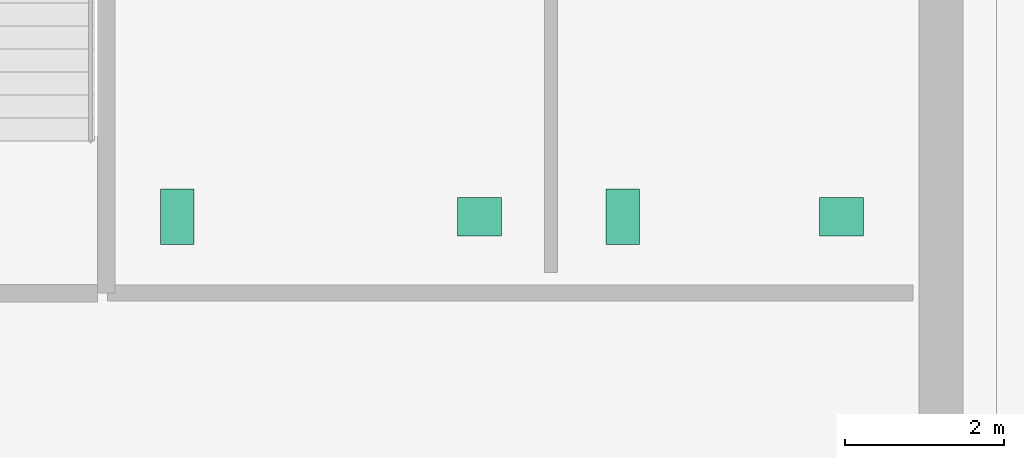
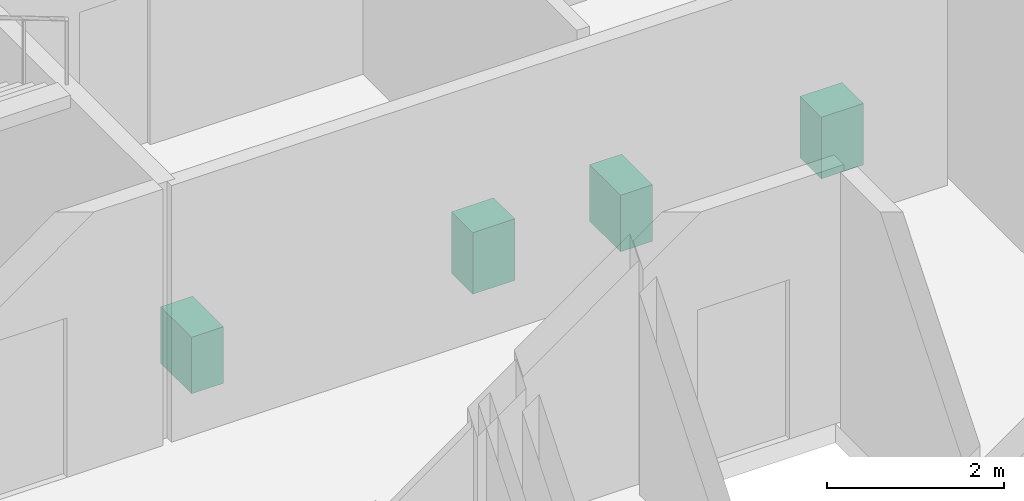
# One storey, part 12 of 12: 4 sanitary terminals.
"""IFC4 building model written with IfcOpenShell, lengths in metres."""

from ifc_helpers import new_model, si_unit, direction, frame, origin, origin_2d, place, context, subcontext, project, spatial, rectangle, extrude, material, type_object, element, save


model = new_model("IFC4")

# Units and contexts
model_context = context("Model", 3, precision=1e-05, world=origin(), true_north=direction((0.0, 1.0)))
body_context = subcontext(model_context, "Body", "Model", "MODEL_VIEW")
ifc_project = project(units=[si_unit("LENGTHUNIT", "METRE"), si_unit("AREAUNIT", "SQUARE_METRE"), si_unit("VOLUMEUNIT", "CUBIC_METRE"), si_unit("PLANEANGLEUNIT", "RADIAN"), si_unit("MASSUNIT", "GRAM", prefix="KILO")], contexts=[model_context])

# Site, building, storey
site_placement = place(None, origin())
site = spatial("IfcSite", under=ifc_project, at=site_placement, CompositionType="ELEMENT")
building_placement = place(site_placement, origin())
building = spatial("IfcBuilding", under=site, at=building_placement, Name="Norrvale University Quadrangle", CompositionType="ELEMENT")
storey_placement = place(building_placement, frame((0.0, 0.0, 244.60009765625)))
storey = spatial("IfcBuildingStorey", under=building, at=storey_placement, Name="L62", CompositionType="ELEMENT", Elevation=244.60009765625)

# Sanitary terminals
ifc_material = material(Name="Vitreous China Sanitaryware")
sanitary_terminal_type_1 = type_object("IfcSanitaryTerminalType", Name="Sanitary Wash Basin", PredefinedType="WASHHANDBASIN", material=ifc_material)
for number, where, z_axis, x_axis, name in (
    (1, (11.0, 41.10009765625, -0.000244140625), (0.0, 0.0, 1.0), (1.0, 0.0, 0.0), "Accessible Countertop Washbasin L62-1"),
    (2, (15.550048828125, 41.10009765625, -0.000244140625), (0.0, 0.0, 1.0), (1.0, 0.0, 0.0), "Accessible Countertop Washbasin L62-2"),
):
    element("IfcSanitaryTerminal", number, at=place(storey_placement, frame(where, z_axis=z_axis, x_axis=x_axis)), inside=storey, type_object=sanitary_terminal_type_1, Name=name, PredefinedType="WASHHANDBASIN", context=body_context, shape_type="SweptSolid", body=[
        extrude(rectangle(XDim=0.550048828125, YDim=0.47998046875, at=origin_2d()), origin(), (0.0, 0.0, 1.0), 0.85009765625),
    ])
sanitary_terminal_type_2 = type_object("IfcSanitaryTerminalType", Name="Sanitary Water Closet", PredefinedType="TOILETPAN", material=ifc_material)
for number, where, z_axis, x_axis, name in (
    (3, (7.199951171875, 41.10009765625, 0.0), (0.0, 0.0, 1.0), (1.0, 0.0, 0.0), "Wall-Hung Water Closet L62-1"),
    (4, (12.800048828125, 41.10009765625, 0.0), (0.0, 0.0, 1.0), (1.0, 0.0, 0.0), "Wall-Hung Water Closet L62-2"),
):
    element("IfcSanitaryTerminal", number, at=place(storey_placement, frame(where, z_axis=z_axis, x_axis=x_axis)), inside=storey, type_object=sanitary_terminal_type_2, Name=name, PredefinedType="TOILETPAN", context=body_context, shape_type="SweptSolid", body=[
        extrude(rectangle(XDim=0.419921875, YDim=0.699951171875, at=origin_2d()), origin(), (0.0, 0.0, 1.0), 0.780029296875),
    ])

save(model, "model.ifc")
